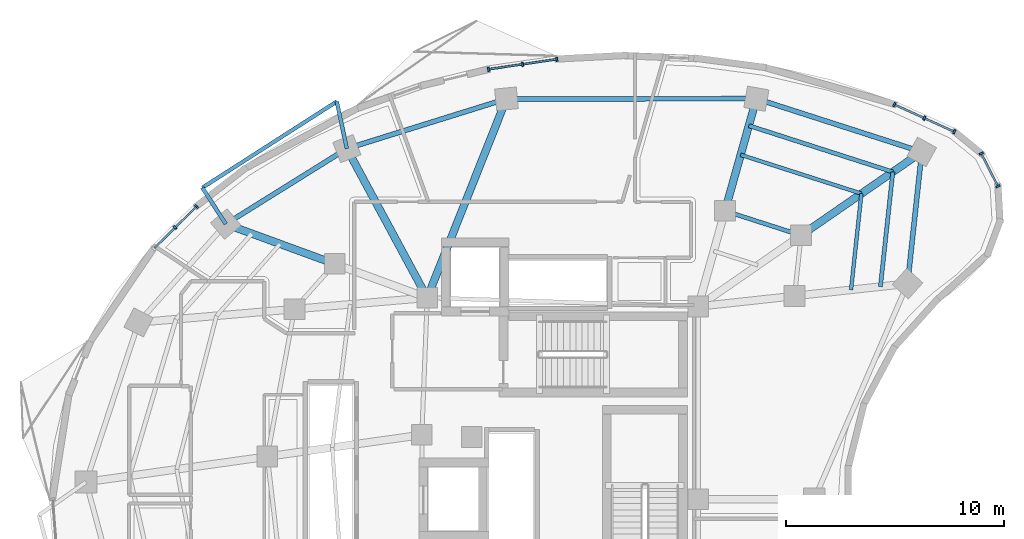
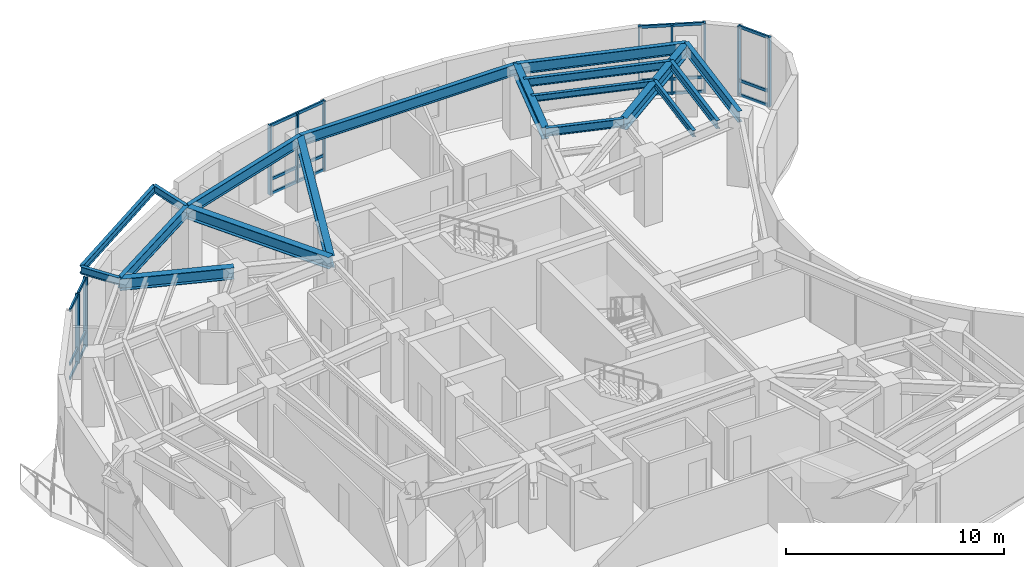
# One storey, part 5 of 13: 31 members, 18 beams, 4 elements without a shape of their own.
"""IFC4 building model written with IfcOpenShell, lengths in metres."""

import ifcopenshell
import ifcopenshell.guid

model = None  # the IFC model being written
_history = None  # IfcOwnerHistory: only IFC2X3 demands one
_inside = {}  # id of a spatial element -> (the spatial element, [elements in it])
_under = {}  # id of a project, library or spatial element -> (it, [spatial elements below it])
_declared = {}  # id of a project -> (the project, [libraries it declares])
_typed = {}  # id of a type object -> (the type object, [elements of that type])
_made_of = {}  # id of a material, layer set ... -> (it, [elements and type objects made of it])


def new_model(schema):
    """Start an empty IFC model of exactly this schema.

    Asked for "IFC4X3", IfcOpenShell would pick the latest addendum, in which some entities
    have other attributes; the version numbers below select the first issue.
    IFC2X3 requires an IfcOwnerHistory on every rooted entity: one is made here for all.
    """
    global model, _history
    if schema == "IFC4X3":
        model = ifcopenshell.file(schema_version=(4, 3, 0, 0))
    else:
        model = ifcopenshell.file(schema=schema)
    _inside.clear()
    _under.clear()
    _declared.clear()
    _typed.clear()
    _made_of.clear()
    _history = None
    if model.schema == "IFC2X3":
        org = make("IfcOrganization", Name="unknown")
        user = make(
            "IfcPersonAndOrganization",
            ThePerson=make("IfcPerson", FamilyName="unknown"),
            TheOrganization=org,
        )
        app = make(
            "IfcApplication",
            ApplicationDeveloper=org,
            Version="unknown",
            ApplicationFullName="unknown",
            ApplicationIdentifier="unknown",
        )
        _history = make(
            "IfcOwnerHistory",
            OwningUser=user,
            OwningApplication=app,
            ChangeAction="ADDED",
            CreationDate=0,
        )
    return model


def make(cls, **values):
    """One entity of the class cls with the attributes given. An attribute that is None is left unset."""
    return model.create_entity(
        cls, **{name: value for name, value in values.items() if value is not None}
    )


def rooted(cls, **values):
    """An entity with a GlobalId (a new one), such as an element, a storey or a relation."""
    return make(cls, GlobalId=ifcopenshell.guid.new(), OwnerHistory=_history, **values)


def si_unit(unit_type, name, prefix=None):
    """IfcSIUnit, for example si_unit("LENGTHUNIT", "METRE", prefix="MILLI")."""
    return make("IfcSIUnit", UnitType=unit_type, Prefix=prefix, Name=name)


def assignment(units):
    """IfcUnitAssignment: the units of a project."""
    return None if units is None else make("IfcUnitAssignment", Units=units)


def point(xyz):
    """IfcCartesianPoint."""
    return None if xyz is None else make("IfcCartesianPoint", Coordinates=xyz)


def direction(xyz):
    """IfcDirection."""
    return None if xyz is None else make("IfcDirection", DirectionRatios=xyz)


def frame(location, z_axis=None, x_axis=None):
    """IfcAxis2Placement3D, a coordinate frame: its origin and axes. An axis left out is left unset."""
    return make(
        "IfcAxis2Placement3D",
        Location=point(location),
        Axis=direction(z_axis),
        RefDirection=direction(x_axis),
    )


def frame_2d(location, x_axis=None):
    """IfcAxis2Placement2D, a coordinate frame in the plane: its origin and x axis."""
    return make(
        "IfcAxis2Placement2D", Location=point(location), RefDirection=direction(x_axis)
    )


def origin():
    """The frame at (0, 0, 0) with its axes left unset."""
    return frame((0.0, 0.0, 0.0))


def origin_2d():
    """The frame at (0, 0) in the plane with its x axis left unset."""
    return frame_2d((0.0, 0.0))


def place(relative_to, where):
    """IfcLocalPlacement: puts the frame where relative to a parent placement (None: the world)."""
    return make(
        "IfcLocalPlacement", PlacementRelTo=relative_to, RelativePlacement=where
    )


def context(
    kind, dimensions, precision=None, world=None, true_north=None, identifier=None
):
    """IfcGeometricRepresentationContext, for example the 3D "Model" context."""
    return make(
        "IfcGeometricRepresentationContext",
        ContextIdentifier=identifier,
        ContextType=kind,
        CoordinateSpaceDimension=dimensions,
        Precision=precision,
        WorldCoordinateSystem=world,
        TrueNorth=true_north,
    )


def subcontext(parent, identifier, kind, view, scale=None):
    """IfcGeometricRepresentationSubContext, for example "Body" below "Model"."""
    return make(
        "IfcGeometricRepresentationSubContext",
        ContextIdentifier=identifier,
        ContextType=kind,
        ParentContext=parent,
        TargetScale=scale,
        TargetView=view,
    )


def project(units=None, contexts=None):
    """IfcProject with its units and contexts."""
    return rooted(
        "IfcProject",
        Name="project",
        RepresentationContexts=contexts,
        UnitsInContext=assignment(units),
    )


def spatial(cls, under=None, at=None, **own):
    """A site, building, storey or space (cls), placed at a placement, below another one or the project."""
    s = rooted(cls, ObjectPlacement=at, **own)
    if under is not None:
        _under.setdefault(under.id(), (under, []))[1].append(s)
    return s


def profile(cls, at=None, kind="AREA", **sizes):
    """A parametric profile (cls). Its sizes go by their IFC names, for example OverallWidth=200.0."""
    return make(cls, ProfileType=kind, Position=at, **sizes)


def rectangle(**sizes):
    """IfcRectangleProfileDef."""
    return profile("IfcRectangleProfileDef", **sizes)


def i_section(**sizes):
    """IfcIShapeProfileDef."""
    return profile("IfcIShapeProfileDef", **sizes)


def extrude(swept, where, along, depth):
    """IfcExtrudedAreaSolid: the profile swept, set in the frame where, extruded along a direction by depth."""
    return make(
        "IfcExtrudedAreaSolid",
        SweptArea=swept,
        Position=where,
        ExtrudedDirection=direction(along),
        Depth=depth,
    )


def shape(context_of_items, identifier, shape_type, items):
    """IfcShapeRepresentation: the items that make up one representation, for example the "Body"."""
    return make(
        "IfcShapeRepresentation",
        ContextOfItems=context_of_items,
        RepresentationIdentifier=identifier,
        RepresentationType=shape_type,
        Items=items,
    )


def material(Name=None, Category=None):
    """IfcMaterial."""
    return make("IfcMaterial", Name=Name, Category=Category)


def layer(
    of_material, thickness, ventilated=None, Name=None, Category=None, Priority=None
):
    """IfcMaterialLayer: one layer of a wall or slab, of a material (None: an air gap)."""
    return make(
        "IfcMaterialLayer",
        Material=of_material,
        LayerThickness=thickness,
        IsVentilated=ventilated,
        Name=Name,
        Category=Category,
        Priority=Priority,
    )


def layer_set(layers, Name=None):
    """IfcMaterialLayerSet."""
    return make("IfcMaterialLayerSet", MaterialLayers=layers, LayerSetName=Name)


def material_profile(
    of_material, cross_section, Name=None, Category=None, Priority=None
):
    """IfcMaterialProfile: a cross section and its material."""
    return make(
        "IfcMaterialProfile",
        Name=Name,
        Material=of_material,
        Profile=cross_section,
        Priority=Priority,
        Category=Category,
    )


def profile_set(profiles, Name=None, composite=None):
    """IfcMaterialProfileSet."""
    return make(
        "IfcMaterialProfileSet",
        Name=Name,
        MaterialProfiles=profiles,
        CompositeProfile=composite,
    )


def made_of(thing, what):
    """Note that an element or type object is made of a material, layer set ...; save() writes the relation."""
    if what is not None:
        _made_of.setdefault(what.id(), (what, []))[1].append(thing)
    return thing


def type_object(cls, material=None, **own):
    """A type object (cls), such as IfcWallType, which elements share."""
    return made_of(rooted(cls, **own), material)


def element(
    cls,
    number,
    at=None,
    inside=None,
    cuts=None,
    type_object=None,
    material=None,
    context=None,
    identifier="Body",
    shape_type=None,
    held_by="IfcProductDefinitionShape",
    body=None,
    shapes=None,
    **own,
):
    """One element of the class cls, such as IfcWall. Its Tag is "e" and its number.

    at: its placement. inside: the storey or other place that contains it. cuts: it is an
    opening in that element (IfcRelVoidsElement). A single representation is given by context,
    identifier, shape_type and body (its items); several are given by shapes. held_by: the class
    of the entity that holds the representations. save() writes the other relations.
    """
    e = rooted(cls, Tag="e%d" % number, ObjectPlacement=at, **own)
    if body is not None:
        shapes = [shape(context, identifier, shape_type, body)]
    if shapes is not None:
        e.Representation = make(held_by, Representations=shapes)
    if inside is not None:
        _inside.setdefault(inside.id(), (inside, []))[1].append(e)
    if cuts is not None:
        rooted(
            "IfcRelVoidsElement", RelatingBuildingElement=cuts, RelatedOpeningElement=e
        )
    if type_object is not None:
        _typed.setdefault(type_object.id(), (type_object, []))[1].append(e)
    return made_of(e, material)


def aggregate(whole, parts):
    """IfcRelAggregates: a whole, such as a stair, and the parts it consists of."""
    return rooted("IfcRelAggregates", RelatingObject=whole, RelatedObjects=parts)


def save(model, path):
    """Write the relations noted so far, then the file.

    IfcRelAggregates (storeys below a building ...), IfcRelContainedInSpatialStructure (elements
    in a storey), IfcRelDefinesByType, IfcRelAssociatesMaterial and IfcRelDeclares: one each for
    every whole, place, type object, material and project.
    """
    for whole, parts in _under.values():
        aggregate(whole, parts)
    for where, things in _inside.values():
        rooted(
            "IfcRelContainedInSpatialStructure",
            RelatedElements=things,
            RelatingStructure=where,
        )
    for kind, things in _typed.values():
        rooted("IfcRelDefinesByType", RelatedObjects=things, RelatingType=kind)
    for what, things in _made_of.values():
        rooted("IfcRelAssociatesMaterial", RelatedObjects=things, RelatingMaterial=what)
    for by, libraries in _declared.values():
        rooted("IfcRelDeclares", RelatingContext=by, RelatedDefinitions=libraries)
    model.write(path)


model = new_model("IFC4")

# Units and contexts
model_context = context("Model", 3, precision=1e-05, world=origin(), true_north=direction((0.0, 1.0)))
body_context = subcontext(model_context, "Body", "Model", "MODEL_VIEW")
ifc_project = project(units=[si_unit("LENGTHUNIT", "METRE"), si_unit("AREAUNIT", "SQUARE_METRE"), si_unit("VOLUMEUNIT", "CUBIC_METRE"), si_unit("PLANEANGLEUNIT", "RADIAN"), si_unit("MASSUNIT", "GRAM", prefix="KILO")], contexts=[model_context])

# Site, building, storey
site_placement = place(None, origin())
site = spatial("IfcSite", under=ifc_project, at=site_placement, CompositionType="ELEMENT")
building_placement = place(site_placement, origin())
building = spatial("IfcBuilding", under=site, at=building_placement, Name="Korentha Bioscience Tower", CompositionType="ELEMENT")
storey_placement = place(building_placement, frame((0.0, 0.0, 171.0)))
storey = spatial("IfcBuildingStorey", under=building, at=storey_placement, Name="L39", CompositionType="ELEMENT", Elevation=171.0)

# Beam
ifc_material_1 = material(Name="Steel S355", Category="steel")
ifc_material_profile_1 = material_profile(ifc_material_1, i_section(OverallWidth=0.18994140625, OverallDepth=0.45703125, WebThickness=0.009033203125, FlangeThickness=0.014404296875, at=origin_2d()), Name="Steel S355")
ifc_profile_set_1 = profile_set([ifc_material_profile_1], Name="Steel S355 (MB-460)")
beam_type_1 = type_object("IfcBeamType", Name="Mid-Ring Tie Girder W460x74", PredefinedType="BEAM", material=ifc_profile_set_1)
beam_1_placement = place(storey_placement, frame((42.274658203125, 39.1171875, 3.67138671875), z_axis=(-0.952000195343, 0.306097415976, 0.0), x_axis=(-0.306097415976, -0.952000195343, 0.0)))
element("IfcBeam", 1, at=beam_1_placement, inside=storey, type_object=beam_type_1, Name="L39 Mid-Ring Tie Girder 01", PredefinedType="BEAM", context=body_context, shape_type="SweptSolid", body=[
    extrude(i_section(OverallWidth=0.18994140625, OverallDepth=0.45703125, WebThickness=0.009033203125, FlangeThickness=0.014404296875, at=origin_2d()), origin(), (0.0, 0.0, 1.0), 3.672119140625),
])

# Curtain wall, members
ifc_material_2 = material(Name="Thermally Broken Aluminium Frame", Category="aluminium")
ifc_layer = layer(ifc_material_2, 0.219970703125, Name="Thermally Broken Aluminium Frame")
ifc_layer_set = layer_set([ifc_layer], Name="Thermally Broken Aluminium Frame (CW-T1)")
curtain_wall_type = type_object("IfcCurtainWallType", Name="Standard Bioscience Lab Unitised Curtain Wall CW-T1", PredefinedType="USERDEFINED", material=ifc_layer_set)
curtain_wall_1_placement = place(storey_placement, origin())
curtain_wall_1 = element("IfcCurtainWall", 2, at=curtain_wall_1_placement, inside=storey, type_object=curtain_wall_type, Name="L39 Curtain Wall 01", ObjectType="UNITISED", PredefinedType="USERDEFINED")
ifc_material_3 = material(Name="Anodised Aluminium 6063-T6", Category="aluminium")
ifc_material_profile_2 = material_profile(ifc_material_3, rectangle(XDim=0.090087890625, YDim=0.199951171875, at=origin_2d()), Name="Anodised Aluminium 6063-T6")
ifc_profile_set_2 = profile_set([ifc_material_profile_2], Name="Anodised Aluminium 6063-T6 (CW-MUL)")
member_type_1 = type_object("IfcMemberType", Name="Mullion RECT 90x200", PredefinedType="MULLION", material=ifc_profile_set_2)
member_1_placement = place(storey_placement, frame((49.314453125, 43.878173828125, 0.0), z_axis=(0.0, 0.0, 1.0), x_axis=(-0.910644398392, 0.413190972406, 0.0)))
member_1 = element("IfcMember", 3, at=member_1_placement, type_object=member_type_1, Name="CW-L39-01 Mullion 1", PredefinedType="MULLION", context=body_context, shape_type="SweptSolid", body=[
    extrude(rectangle(XDim=0.090087890625, YDim=0.199951171875, at=origin_2d()), origin(), (0.0, 0.0, 1.0), 3.89990234375),
])
member_2_placement = place(storey_placement, frame((47.93701171875, 44.503173828125, 0.0), z_axis=(0.0, 0.0, 1.0), x_axis=(-0.910644398392, 0.413190972406, 0.0)))
member_2 = element("IfcMember", 4, at=member_2_placement, type_object=member_type_1, Name="CW-L39-01 Mullion 2", PredefinedType="MULLION", context=body_context, shape_type="SweptSolid", body=[
    extrude(rectangle(XDim=0.090087890625, YDim=0.199951171875, at=origin_2d()), origin(), (0.0, 0.0, 1.0), 3.89990234375),
])
member_3_placement = place(storey_placement, frame((46.5595703125, 45.128173828125, 0.0), z_axis=(0.0, 0.0, 1.0), x_axis=(-0.910644398392, 0.413190972406, 0.0)))
member_3 = element("IfcMember", 5, at=member_3_placement, type_object=member_type_1, Name="CW-L39-01 Mullion 3", PredefinedType="MULLION", context=body_context, shape_type="SweptSolid", body=[
    extrude(rectangle(XDim=0.090087890625, YDim=0.199951171875, at=origin_2d()), origin(), (0.0, 0.0, 1.0), 3.89990234375),
])

curtain_wall_2_placement = place(storey_placement, origin())
curtain_wall_2 = element("IfcCurtainWall", 6, at=curtain_wall_2_placement, inside=storey, type_object=curtain_wall_type, Name="L39 Curtain Wall 07", ObjectType="UNITISED", PredefinedType="USERDEFINED")
member_4_placement = place(storey_placement, frame((31.056640625, 47.205078125, 0.0), z_axis=(0.0, 0.0, 1.0), x_axis=(-0.989461919888, -0.144793332342, 0.0)))
member_4 = element("IfcMember", 7, at=member_4_placement, type_object=member_type_1, Name="CW-L39-07 Mullion 1", PredefinedType="MULLION", context=body_context, shape_type="SweptSolid", body=[
    extrude(rectangle(XDim=0.090087890625, YDim=0.199951171875, at=origin_2d()), origin(), (0.0, 0.0, 1.0), 3.89990234375),
])
member_5_placement = place(storey_placement, frame((29.485107421875, 46.97509765625, 0.0), z_axis=(0.0, 0.0, 1.0), x_axis=(-0.989461919888, -0.144793332342, 0.0)))
member_5 = element("IfcMember", 8, at=member_5_placement, type_object=member_type_1, Name="CW-L39-07 Mullion 2", PredefinedType="MULLION", context=body_context, shape_type="SweptSolid", body=[
    extrude(rectangle(XDim=0.090087890625, YDim=0.199951171875, at=origin_2d()), origin(), (0.0, 0.0, 1.0), 3.89990234375),
])
member_6_placement = place(storey_placement, frame((27.913330078125, 46.7451171875, 0.0), z_axis=(0.0, 0.0, 1.0), x_axis=(-0.989461919888, -0.144793332342, 0.0)))
member_6 = element("IfcMember", 9, at=member_6_placement, type_object=member_type_1, Name="CW-L39-07 Mullion 3", PredefinedType="MULLION", context=body_context, shape_type="SweptSolid", body=[
    extrude(rectangle(XDim=0.090087890625, YDim=0.199951171875, at=origin_2d()), origin(), (0.0, 0.0, 1.0), 3.89990234375),
])

curtain_wall_3_placement = place(storey_placement, origin())
curtain_wall_3 = element("IfcCurtainWall", 10, at=curtain_wall_3_placement, inside=storey, type_object=curtain_wall_type, Name="L39 Curtain Wall 13", ObjectType="UNITISED", PredefinedType="USERDEFINED")
member_7_placement = place(storey_placement, frame((14.49951171875, 40.44287109375, 0.0), z_axis=(0.0, 0.0, 1.0), x_axis=(-0.711460557971, -0.702726030862, 0.0)))
member_7 = element("IfcMember", 11, at=member_7_placement, type_object=member_type_1, Name="CW-L39-13 Mullion 1", PredefinedType="MULLION", context=body_context, shape_type="SweptSolid", body=[
    extrude(rectangle(XDim=0.090087890625, YDim=0.199951171875, at=origin_2d()), origin(), (0.0, 0.0, 1.0), 3.89990234375),
])
member_8_placement = place(storey_placement, frame((13.517333984375, 39.472900390625, 0.0), z_axis=(0.0, 0.0, 1.0), x_axis=(-0.711460557971, -0.702726030862, 0.0)))
member_8 = element("IfcMember", 12, at=member_8_placement, type_object=member_type_1, Name="CW-L39-13 Mullion 2", PredefinedType="MULLION", context=body_context, shape_type="SweptSolid", body=[
    extrude(rectangle(XDim=0.090087890625, YDim=0.199951171875, at=origin_2d()), origin(), (0.0, 0.0, 1.0), 3.89990234375),
])

curtain_wall_4_placement = place(storey_placement, origin())
curtain_wall_4 = element("IfcCurtainWall", 13, at=curtain_wall_4_placement, inside=storey, type_object=curtain_wall_type, Name="L39 Curtain Wall 61", ObjectType="UNITISED", PredefinedType="USERDEFINED")
member_9_placement = place(storey_placement, frame((51.31884765625, 41.375732421875, 0.0), z_axis=(0.0, 0.0, 1.0), x_axis=(-0.45428845847, 0.890854643868, 0.0)))
member_9 = element("IfcMember", 14, at=member_9_placement, type_object=member_type_1, Name="CW-L39-61 Mullion 1", PredefinedType="MULLION", context=body_context, shape_type="SweptSolid", body=[
    extrude(rectangle(XDim=0.090087890625, YDim=0.199951171875, at=origin_2d()), origin(), (0.0, 0.0, 1.0), 3.89990234375),
])
member_10_placement = place(storey_placement, frame((50.5546875, 42.873779296875, 0.0), z_axis=(0.0, 0.0, 1.0), x_axis=(-0.45428845847, 0.890854643868, 0.0)))
member_10 = element("IfcMember", 15, at=member_10_placement, type_object=member_type_1, Name="CW-L39-61 Mullion 2", PredefinedType="MULLION", context=body_context, shape_type="SweptSolid", body=[
    extrude(rectangle(XDim=0.090087890625, YDim=0.199951171875, at=origin_2d()), origin(), (0.0, 0.0, 1.0), 3.89990234375),
])

# Beams
ifc_material_profile_3 = material_profile(ifc_material_1, i_section(OverallWidth=0.22802734375, OverallDepth=0.60791015625, WebThickness=0.01123046875, FlangeThickness=0.017333984375, at=origin_2d()), Name="Steel S355")
ifc_profile_set_3 = profile_set([ifc_material_profile_3], Name="Steel S355 (SB-610)")
beam_type_2 = type_object("IfcBeamType", Name="Perimeter Ring Spandrel Girder W610x113", PredefinedType="SPANDREL", material=ifc_profile_set_3)
beam_2_placement = place(storey_placement, frame((47.821044921875, 42.95263671875, 3.595947265625), z_axis=(-0.952008512555, 0.306071547228, 0.0), x_axis=(-0.306071547228, -0.952008512555, 0.0)))
element("IfcBeam", 16, at=beam_2_placement, inside=storey, type_object=beam_type_2, Name="L39 Perimeter Spandrel Girder 01", PredefinedType="SPANDREL", context=body_context, shape_type="SweptSolid", body=[
    extrude(i_section(OverallWidth=0.22802734375, OverallDepth=0.60791015625, WebThickness=0.01123046875, FlangeThickness=0.017333984375, at=origin_2d()), origin(), (0.0, 0.0, 1.0), 7.98291015625),
])
beam_3_placement = place(storey_placement, frame((40.22119140625, 45.39599609375, 3.595947265625), z_axis=(-0.99999988041, -0.000489059883, 0.0), x_axis=(0.000489059883, -0.99999988041, 0.0)))
element("IfcBeam", 17, at=beam_3_placement, inside=storey, type_object=beam_type_2, Name="L39 Perimeter Spandrel Girder 02", PredefinedType="SPANDREL", context=body_context, shape_type="SweptSolid", body=[
    extrude(i_section(OverallWidth=0.22802734375, OverallDepth=0.60791015625, WebThickness=0.01123046875, FlangeThickness=0.017333984375, at=origin_2d()), origin(), (0.0, 0.0, 1.0), 11.481689453125),
])
beam_4_placement = place(storey_placement, frame((28.739501953125, 45.390380859375, 3.595947265625), z_axis=(-0.954638172607, -0.29776829818, 0.0), x_axis=(0.29776829818, -0.954638172607, 0.0)))
element("IfcBeam", 18, at=beam_4_placement, inside=storey, type_object=beam_type_2, Name="L39 Perimeter Spandrel Girder 03", PredefinedType="SPANDREL", context=body_context, shape_type="SweptSolid", body=[
    extrude(i_section(OverallWidth=0.22802734375, OverallDepth=0.60791015625, WebThickness=0.01123046875, FlangeThickness=0.017333984375, at=origin_2d()), origin(), (0.0, 0.0, 1.0), 7.682373046875),
])
beam_5_placement = place(storey_placement, frame((21.405517578125, 43.102783203125, 3.595947265625), z_axis=(-0.848675740059, -0.528913497876, 0.0), x_axis=(0.528913497876, -0.848675740059, 0.0)))
element("IfcBeam", 19, at=beam_5_placement, inside=storey, type_object=beam_type_2, Name="L39 Perimeter Spandrel Girder 04", PredefinedType="SPANDREL", context=body_context, shape_type="SweptSolid", body=[
    extrude(i_section(OverallWidth=0.22802734375, OverallDepth=0.60791015625, WebThickness=0.01123046875, FlangeThickness=0.017333984375, at=origin_2d()), origin(), (0.0, 0.0, 1.0), 6.55322265625),
])
beam_6_placement = place(storey_placement, frame((47.16748046875, 36.89794921875, 3.595947265625), z_axis=(0.10732012232, 0.994224517574, 0.0), x_axis=(-0.994224517574, 0.10732012232, 0.0)))
element("IfcBeam", 20, at=beam_6_placement, inside=storey, type_object=beam_type_2, Name="L39 Perimeter Spandrel Girder 16", PredefinedType="SPANDREL", context=body_context, shape_type="SweptSolid", body=[
    extrude(i_section(OverallWidth=0.22802734375, OverallDepth=0.60791015625, WebThickness=0.01123046875, FlangeThickness=0.017333984375, at=origin_2d()), origin(), (0.0, 0.0, 1.0), 6.08984375),
])
ifc_material_profile_4 = material_profile(ifc_material_1, i_section(OverallWidth=0.18994140625, OverallDepth=0.45703125, WebThickness=0.009033203125, FlangeThickness=0.014404296875, at=origin_2d()), Name="Steel S355")
ifc_profile_set_4 = profile_set([ifc_material_profile_4], Name="Steel S355 (RB-460)")
beam_type_3 = type_object("IfcBeamType", Name="Radial Laboratory Beam W460x74", PredefinedType="BEAM", material=ifc_profile_set_4)
beam_7_placement = place(storey_placement, frame((46.489990234375, 42.031982421875, 3.67138671875), z_axis=(-0.952009183817, 0.306069459318, 0.0), x_axis=(-0.306069459318, -0.952009183817, 0.0)))
element("IfcBeam", 21, at=beam_7_placement, inside=storey, type_object=beam_type_3, Name="L39 Secondary Floor Beam JSTO-01", PredefinedType="BEAM", context=body_context, shape_type="SweptSolid", body=[
    extrude(i_section(OverallWidth=0.18994140625, OverallDepth=0.45703125, WebThickness=0.009033203125, FlangeThickness=0.014404296875, at=origin_2d()), origin(), (0.0, 0.0, 1.0), 6.948486328125),
])
beam_8_placement = place(storey_placement, frame((45.921142578125, 36.76220703125, 3.67138671875), z_axis=(0.107321875607, 0.994224328316, 0.0), x_axis=(-0.994224328316, 0.107321875607, 0.0)))
element("IfcBeam", 22, at=beam_8_placement, inside=storey, type_object=beam_type_3, Name="L39 Secondary Floor Beam JSTO-16", PredefinedType="BEAM", context=body_context, shape_type="SweptSolid", body=[
    extrude(i_section(OverallWidth=0.18994140625, OverallDepth=0.45703125, WebThickness=0.009033203125, FlangeThickness=0.014404296875, at=origin_2d()), origin(), (0.0, 0.0, 1.0), 5.30029296875),
])
ifc_material_profile_5 = material_profile(ifc_material_1, i_section(OverallWidth=0.35009765625, OverallDepth=0.64990234375, WebThickness=0.01611328125, FlangeThickness=0.02490234375, at=origin_2d()), Name="Steel S355")
ifc_profile_set_5 = profile_set([ifc_material_profile_5], Name="Steel S355 (RB-650)")
beam_type_4 = type_object("IfcBeamType", Name="Radial Laboratory Girder CVS 650x208", PredefinedType="BEAM", material=ifc_profile_set_5)
beam_9_placement = place(storey_placement, frame((42.274658203125, 39.1171875, 3.574951171875), z_axis=(0.822494455845, 0.568773127094, 0.0), x_axis=(-0.568773127094, 0.822494455845, 0.0)))
element("IfcBeam", 23, at=beam_9_placement, inside=storey, type_object=beam_type_4, Name="L39 Outer Radial Girder 01", PredefinedType="BEAM", context=body_context, shape_type="SweptSolid", body=[
    extrude(i_section(OverallWidth=0.35009765625, OverallDepth=0.64990234375, WebThickness=0.01611328125, FlangeThickness=0.02490234375, at=origin_2d()), origin(), (0.0, 0.0, 1.0), 6.743408203125),
])
beam_10_placement = place(storey_placement, frame((38.77880859375, 40.2412109375, 3.574951171875), z_axis=(0.269464128344, 0.963010427532, 0.0), x_axis=(-0.963010427532, 0.269464128344, 0.0)))
element("IfcBeam", 24, at=beam_10_placement, inside=storey, type_object=beam_type_4, Name="L39 Outer Radial Girder 02", PredefinedType="BEAM", context=body_context, shape_type="SweptSolid", body=[
    extrude(i_section(OverallWidth=0.35009765625, OverallDepth=0.64990234375, WebThickness=0.01611328125, FlangeThickness=0.02490234375, at=origin_2d()), origin(), (0.0, 0.0, 1.0), 5.352783203125),
])
beam_11_placement = place(storey_placement, frame((25.10009765625, 36.25, 3.574951171875), z_axis=(0.369922682955, 0.929062542909, 0.0), x_axis=(-0.929062542909, 0.369922682955, 0.0)))
element("IfcBeam", 25, at=beam_11_placement, inside=storey, type_object=beam_type_4, Name="L39 Radial Girder 03", PredefinedType="BEAM", context=body_context, shape_type="SweptSolid", body=[
    extrude(i_section(OverallWidth=0.35009765625, OverallDepth=0.64990234375, WebThickness=0.01611328125, FlangeThickness=0.02490234375, at=origin_2d()), origin(), (0.0, 0.0, 1.0), 9.83837890625),
])
beam_12_placement = place(storey_placement, frame((25.10009765625, 36.25, 3.574951171875), z_axis=(-0.474559790141, 0.880223270302, 0.0), x_axis=(-0.880223270302, -0.474559790141, 0.0)))
element("IfcBeam", 26, at=beam_12_placement, inside=storey, type_object=beam_type_4, Name="L39 Radial Girder 04", PredefinedType="BEAM", context=body_context, shape_type="SweptSolid", body=[
    extrude(i_section(OverallWidth=0.35009765625, OverallDepth=0.64990234375, WebThickness=0.01611328125, FlangeThickness=0.02490234375, at=origin_2d()), origin(), (0.0, 0.0, 1.0), 7.785400390625),
])
beam_13_placement = place(storey_placement, frame((20.84228515625, 37.807861328125, 3.574951171875), z_axis=(-0.939109855566, 0.343617053097, 0.0), x_axis=(-0.343617053097, -0.939109855566, 0.0)))
element("IfcBeam", 27, at=beam_13_placement, inside=storey, type_object=beam_type_4, Name="L39 Outer Radial Girder 05", PredefinedType="BEAM", context=body_context, shape_type="SweptSolid", body=[
    extrude(i_section(OverallWidth=0.35009765625, OverallDepth=0.64990234375, WebThickness=0.01611328125, FlangeThickness=0.02490234375, at=origin_2d()), origin(), (0.0, 0.0, 1.0), 5.322265625),
])
ifc_material_profile_6 = material_profile(ifc_material_1, i_section(OverallWidth=0.1708984375, OverallDepth=0.35498046875, WebThickness=0.007080078125, FlangeThickness=0.01171875, at=origin_2d()), Name="Steel S355")
ifc_profile_set_6 = profile_set([ifc_material_profile_6], Name="Steel S355 (JB-360)")
beam_type_5 = type_object("IfcBeamType", Name="Secondary Laboratory Joist W360x51", PredefinedType="JOIST", material=ifc_profile_set_6)
beam_14_placement = place(storey_placement, frame((45.0478515625, 41.034912109375, 3.722412109375), z_axis=(-0.952005892166, 0.306079697596, 0.0), x_axis=(-0.306079697596, -0.952005892166, 0.0)))
element("IfcBeam", 28, at=beam_14_placement, inside=storey, type_object=beam_type_5, Name="L39 Secondary Floor Beam JST-01", PredefinedType="JOIST", context=body_context, shape_type="SweptSolid", body=[
    extrude(i_section(OverallWidth=0.1708984375, OverallDepth=0.35498046875, WebThickness=0.007080078125, FlangeThickness=0.01171875, at=origin_2d()), origin(), (0.0, 0.0, 1.0), 5.82763671875),
])
beam_15_placement = place(storey_placement, frame((44.57080078125, 36.614990234375, 3.722412109375), z_axis=(0.107308722475, 0.994225748048, 0.0), x_axis=(-0.994225748048, 0.107308722475, 0.0)))
element("IfcBeam", 29, at=beam_15_placement, inside=storey, type_object=beam_type_5, Name="L39 Secondary Floor Beam JST-16", PredefinedType="JOIST", context=body_context, shape_type="SweptSolid", body=[
    extrude(i_section(OverallWidth=0.1708984375, OverallDepth=0.35498046875, WebThickness=0.007080078125, FlangeThickness=0.01171875, at=origin_2d()), origin(), (0.0, 0.0, 1.0), 4.445556640625),
])
ifc_material_profile_7 = material_profile(ifc_material_1, i_section(OverallWidth=0.177978515625, OverallDepth=0.406982421875, WebThickness=0.0078125, FlangeThickness=0.0126953125, at=origin_2d()), Name="Steel S355")
ifc_profile_set_7 = profile_set([ifc_material_profile_7], Name="Steel S355 (CB-410)")
beam_type_6 = type_object("IfcBeamType", Name="Sun-Ledge Cantilever Beam W410x60", PredefinedType="BEAM", material=ifc_profile_set_7)
beam_16_placement = place(storey_placement, frame((21.405517578125, 43.102783203125, 3.698486328125), z_axis=(-0.208812997675, 0.97795558795, 0.0), x_axis=(-0.97795558795, -0.208812997675, 0.0)))
element("IfcBeam", 30, at=beam_16_placement, inside=storey, type_object=beam_type_6, Name="L39 Balcony Cantilever Bracket A-L40-01", PredefinedType="BEAM", context=body_context, shape_type="SweptSolid", body=[
    extrude(i_section(OverallWidth=0.177978515625, OverallDepth=0.406982421875, WebThickness=0.0078125, FlangeThickness=0.0126953125, at=origin_2d()), origin(), (0.0, 0.0, 1.0), 2.212158203125),
])
beam_17_placement = place(storey_placement, frame((15.843994140625, 39.63671875, 3.698486328125), z_axis=(-0.541651192017, 0.840603346523, 0.0), x_axis=(-0.840603346523, -0.541651192017, 0.0)))
element("IfcBeam", 31, at=beam_17_placement, inside=storey, type_object=beam_type_6, Name="L39 Balcony Cantilever Bracket B-L40-01", PredefinedType="BEAM", context=body_context, shape_type="SweptSolid", body=[
    extrude(i_section(OverallWidth=0.177978515625, OverallDepth=0.406982421875, WebThickness=0.0078125, FlangeThickness=0.0126953125, at=origin_2d()), origin(), (0.0, 0.0, 1.0), 1.98779296875),
])
beam_18_placement = place(storey_placement, frame((20.943603515625, 45.26611328125, 3.698486328125), z_axis=(-0.841919457307, -0.539603212933, 0.0), x_axis=(0.539603212933, -0.841919457307, 0.0)))
element("IfcBeam", 32, at=beam_18_placement, inside=storey, type_object=beam_type_6, Name="L39 Balcony Edge Trimmer Beam L40-01", PredefinedType="BEAM", context=body_context, shape_type="SweptSolid", body=[
    extrude(i_section(OverallWidth=0.177978515625, OverallDepth=0.406982421875, WebThickness=0.0078125, FlangeThickness=0.0126953125, at=origin_2d()), origin(), (0.0, 0.0, 1.0), 7.3359375),
])

# Member
ifc_material_profile_8 = material_profile(ifc_material_3, rectangle(XDim=0.090087890625, YDim=0.159912109375, at=origin_2d()), Name="Anodised Aluminium 6063-T6")
ifc_profile_set_8 = profile_set([ifc_material_profile_8], Name="Anodised Aluminium 6063-T6 (CW-TRN)")
member_type_2 = type_object("IfcMemberType", Name="Transom RECT 90x160", PredefinedType="USERDEFINED", material=ifc_profile_set_8)
member_11_placement = place(storey_placement, frame((49.2734375, 43.896728515625, 0.044921875), z_axis=(-0.910613165474, 0.41325980069, 0.0), x_axis=(-0.41325980069, -0.910613165474, 0.0)))
member_11 = element("IfcMember", 33, at=member_11_placement, type_object=member_type_2, Name="CW-L39-01 Bay 1 Transom 1", ObjectType="TRANSOM", PredefinedType="USERDEFINED", context=body_context, shape_type="SweptSolid", body=[
    extrude(rectangle(XDim=0.090087890625, YDim=0.159912109375, at=origin_2d()), origin(), (0.0, 0.0, 1.0), 1.422607421875),
])

member_12_placement = place(storey_placement, frame((49.2734375, 43.896728515625, 0.85009765625), z_axis=(-0.910613165474, 0.41325980069, 0.0), x_axis=(-0.41325980069, -0.910613165474, 0.0)))
member_12 = element("IfcMember", 34, at=member_12_placement, type_object=member_type_2, Name="CW-L39-01 Bay 1 Transom 2", ObjectType="TRANSOM", PredefinedType="USERDEFINED", context=body_context, shape_type="SweptSolid", body=[
    extrude(rectangle(XDim=0.090087890625, YDim=0.159912109375, at=origin_2d()), origin(), (0.0, 0.0, 1.0), 1.422607421875),
])

member_13_placement = place(storey_placement, frame((49.2734375, 43.896728515625, 3.85498046875), z_axis=(-0.910613165474, 0.41325980069, 0.0), x_axis=(-0.41325980069, -0.910613165474, 0.0)))
member_13 = element("IfcMember", 35, at=member_13_placement, type_object=member_type_2, Name="CW-L39-01 Bay 1 Transom 3", ObjectType="TRANSOM", PredefinedType="USERDEFINED", context=body_context, shape_type="SweptSolid", body=[
    extrude(rectangle(XDim=0.090087890625, YDim=0.159912109375, at=origin_2d()), origin(), (0.0, 0.0, 1.0), 1.422607421875),
])

member_14_placement = place(storey_placement, frame((47.89599609375, 44.521728515625, 0.044921875), z_axis=(-0.910613165474, 0.41325980069, 0.0), x_axis=(-0.41325980069, -0.910613165474, 0.0)))
member_14 = element("IfcMember", 36, at=member_14_placement, type_object=member_type_2, Name="CW-L39-01 Bay 2 Transom 1", ObjectType="TRANSOM", PredefinedType="USERDEFINED", context=body_context, shape_type="SweptSolid", body=[
    extrude(rectangle(XDim=0.090087890625, YDim=0.159912109375, at=origin_2d()), origin(), (0.0, 0.0, 1.0), 1.422607421875),
])

member_15_placement = place(storey_placement, frame((47.89599609375, 44.521728515625, 0.85009765625), z_axis=(-0.910613165474, 0.41325980069, 0.0), x_axis=(-0.41325980069, -0.910613165474, 0.0)))
member_15 = element("IfcMember", 37, at=member_15_placement, type_object=member_type_2, Name="CW-L39-01 Bay 2 Transom 2", ObjectType="TRANSOM", PredefinedType="USERDEFINED", context=body_context, shape_type="SweptSolid", body=[
    extrude(rectangle(XDim=0.090087890625, YDim=0.159912109375, at=origin_2d()), origin(), (0.0, 0.0, 1.0), 1.422607421875),
])

member_16_placement = place(storey_placement, frame((47.89599609375, 44.521728515625, 3.85498046875), z_axis=(-0.910613165474, 0.41325980069, 0.0), x_axis=(-0.41325980069, -0.910613165474, 0.0)))
member_16 = element("IfcMember", 38, at=member_16_placement, type_object=member_type_2, Name="CW-L39-01 Bay 2 Transom 3", ObjectType="TRANSOM", PredefinedType="USERDEFINED", context=body_context, shape_type="SweptSolid", body=[
    extrude(rectangle(XDim=0.090087890625, YDim=0.159912109375, at=origin_2d()), origin(), (0.0, 0.0, 1.0), 1.422607421875),
])

aggregate(curtain_wall_1, [member_1, member_2, member_3, member_11, member_12, member_13, member_14, member_15, member_16])

member_17_placement = place(storey_placement, frame((31.01220703125, 47.198486328125, 0.044921875), z_axis=(-0.989478137929, -0.144682461136, 0.0), x_axis=(0.144682461136, -0.989478137929, 0.0)))
member_17 = element("IfcMember", 39, at=member_17_placement, type_object=member_type_2, Name="CW-L39-07 Bay 1 Transom 1", ObjectType="TRANSOM", PredefinedType="USERDEFINED", context=body_context, shape_type="SweptSolid", body=[
    extrude(rectangle(XDim=0.090087890625, YDim=0.159912109375, at=origin_2d()), origin(), (0.0, 0.0, 1.0), 1.49853515625),
])

member_18_placement = place(storey_placement, frame((31.01220703125, 47.198486328125, 0.85009765625), z_axis=(-0.989478137929, -0.144682461136, 0.0), x_axis=(0.144682461136, -0.989478137929, 0.0)))
member_18 = element("IfcMember", 40, at=member_18_placement, type_object=member_type_2, Name="CW-L39-07 Bay 1 Transom 2", ObjectType="TRANSOM", PredefinedType="USERDEFINED", context=body_context, shape_type="SweptSolid", body=[
    extrude(rectangle(XDim=0.090087890625, YDim=0.159912109375, at=origin_2d()), origin(), (0.0, 0.0, 1.0), 1.49853515625),
])

member_19_placement = place(storey_placement, frame((31.01220703125, 47.198486328125, 3.85498046875), z_axis=(-0.989478137929, -0.144682461136, 0.0), x_axis=(0.144682461136, -0.989478137929, 0.0)))
member_19 = element("IfcMember", 41, at=member_19_placement, type_object=member_type_2, Name="CW-L39-07 Bay 1 Transom 3", ObjectType="TRANSOM", PredefinedType="USERDEFINED", context=body_context, shape_type="SweptSolid", body=[
    extrude(rectangle(XDim=0.090087890625, YDim=0.159912109375, at=origin_2d()), origin(), (0.0, 0.0, 1.0), 1.49853515625),
])

member_20_placement = place(storey_placement, frame((29.4404296875, 46.968505859375, 0.044921875), z_axis=(-0.989474726473, -0.144705790038, 0.0), x_axis=(0.144705790038, -0.989474726473, 0.0)))
member_20 = element("IfcMember", 42, at=member_20_placement, type_object=member_type_2, Name="CW-L39-07 Bay 2 Transom 1", ObjectType="TRANSOM", PredefinedType="USERDEFINED", context=body_context, shape_type="SweptSolid", body=[
    extrude(rectangle(XDim=0.090087890625, YDim=0.159912109375, at=origin_2d()), origin(), (0.0, 0.0, 1.0), 1.498291015625),
])

member_21_placement = place(storey_placement, frame((29.4404296875, 46.968505859375, 0.85009765625), z_axis=(-0.989474726473, -0.144705790038, 0.0), x_axis=(0.144705790038, -0.989474726473, 0.0)))
member_21 = element("IfcMember", 43, at=member_21_placement, type_object=member_type_2, Name="CW-L39-07 Bay 2 Transom 2", ObjectType="TRANSOM", PredefinedType="USERDEFINED", context=body_context, shape_type="SweptSolid", body=[
    extrude(rectangle(XDim=0.090087890625, YDim=0.159912109375, at=origin_2d()), origin(), (0.0, 0.0, 1.0), 1.498291015625),
])

member_22_placement = place(storey_placement, frame((29.4404296875, 46.968505859375, 3.85498046875), z_axis=(-0.989474726473, -0.144705790038, 0.0), x_axis=(0.144705790038, -0.989474726473, 0.0)))
member_22 = element("IfcMember", 44, at=member_22_placement, type_object=member_type_2, Name="CW-L39-07 Bay 2 Transom 3", ObjectType="TRANSOM", PredefinedType="USERDEFINED", context=body_context, shape_type="SweptSolid", body=[
    extrude(rectangle(XDim=0.090087890625, YDim=0.159912109375, at=origin_2d()), origin(), (0.0, 0.0, 1.0), 1.498291015625),
])

aggregate(curtain_wall_2, [member_4, member_5, member_6, member_17, member_18, member_19, member_20, member_21, member_22])

member_23_placement = place(storey_placement, frame((14.46728515625, 40.4111328125, 0.044921875), z_axis=(-0.711445315109, -0.70274146285, 0.0), x_axis=(0.70274146285, -0.711445315109, 0.0)))
member_23 = element("IfcMember", 45, at=member_23_placement, type_object=member_type_2, Name="CW-L39-13 Bay 1 Transom 1", ObjectType="TRANSOM", PredefinedType="USERDEFINED", context=body_context, shape_type="SweptSolid", body=[
    extrude(rectangle(XDim=0.090087890625, YDim=0.159912109375, at=origin_2d()), origin(), (0.0, 0.0, 1.0), 1.290283203125),
])

member_24_placement = place(storey_placement, frame((14.46728515625, 40.4111328125, 0.85009765625), z_axis=(-0.711445315109, -0.70274146285, 0.0), x_axis=(0.70274146285, -0.711445315109, 0.0)))
member_24 = element("IfcMember", 46, at=member_24_placement, type_object=member_type_2, Name="CW-L39-13 Bay 1 Transom 2", ObjectType="TRANSOM", PredefinedType="USERDEFINED", context=body_context, shape_type="SweptSolid", body=[
    extrude(rectangle(XDim=0.090087890625, YDim=0.159912109375, at=origin_2d()), origin(), (0.0, 0.0, 1.0), 1.290283203125),
])

member_25_placement = place(storey_placement, frame((14.46728515625, 40.4111328125, 3.85498046875), z_axis=(-0.711445315109, -0.70274146285, 0.0), x_axis=(0.70274146285, -0.711445315109, 0.0)))
member_25 = element("IfcMember", 47, at=member_25_placement, type_object=member_type_2, Name="CW-L39-13 Bay 1 Transom 3", ObjectType="TRANSOM", PredefinedType="USERDEFINED", context=body_context, shape_type="SweptSolid", body=[
    extrude(rectangle(XDim=0.090087890625, YDim=0.159912109375, at=origin_2d()), origin(), (0.0, 0.0, 1.0), 1.290283203125),
])

member_26_placement = place(storey_placement, frame((13.4853515625, 39.441162109375, 0.044921875), z_axis=(-0.711444158079, -0.70274263421, 0.0), x_axis=(0.70274263421, -0.711444158079, 0.0)))
member_26 = element("IfcMember", 48, at=member_26_placement, type_object=member_type_2, Name="CW-L39-13 Bay 2 Transom 1", ObjectType="TRANSOM", PredefinedType="USERDEFINED", context=body_context, shape_type="SweptSolid", body=[
    extrude(rectangle(XDim=0.090087890625, YDim=0.159912109375, at=origin_2d()), origin(), (0.0, 0.0, 1.0), 1.29052734375),
])

member_27_placement = place(storey_placement, frame((13.4853515625, 39.441162109375, 0.85009765625), z_axis=(-0.711444158079, -0.70274263421, 0.0), x_axis=(0.70274263421, -0.711444158079, 0.0)))
member_27 = element("IfcMember", 49, at=member_27_placement, type_object=member_type_2, Name="CW-L39-13 Bay 2 Transom 2", ObjectType="TRANSOM", PredefinedType="USERDEFINED", context=body_context, shape_type="SweptSolid", body=[
    extrude(rectangle(XDim=0.090087890625, YDim=0.159912109375, at=origin_2d()), origin(), (0.0, 0.0, 1.0), 1.29052734375),
])

member_28_placement = place(storey_placement, frame((13.4853515625, 39.441162109375, 3.85498046875), z_axis=(-0.711444158079, -0.70274263421, 0.0), x_axis=(0.70274263421, -0.711444158079, 0.0)))
member_28 = element("IfcMember", 50, at=member_28_placement, type_object=member_type_2, Name="CW-L39-13 Bay 2 Transom 3", ObjectType="TRANSOM", PredefinedType="USERDEFINED", context=body_context, shape_type="SweptSolid", body=[
    extrude(rectangle(XDim=0.090087890625, YDim=0.159912109375, at=origin_2d()), origin(), (0.0, 0.0, 1.0), 1.29052734375),
])

aggregate(curtain_wall_3, [member_7, member_8, member_23, member_24, member_25, member_26, member_27, member_28])

member_29_placement = place(storey_placement, frame((51.29833984375, 41.415771484375, 0.044921875), z_axis=(-0.454316345026, 0.890840422658, 0.0), x_axis=(-0.890840422658, -0.454316345026, 0.0)))
member_29 = element("IfcMember", 51, at=member_29_placement, type_object=member_type_2, Name="CW-L39-61 Bay 1 Transom 1", ObjectType="TRANSOM", PredefinedType="USERDEFINED", context=body_context, shape_type="SweptSolid", body=[
    extrude(rectangle(XDim=0.090087890625, YDim=0.159912109375, at=origin_2d()), origin(), (0.0, 0.0, 1.0), 1.591796875),
])

member_30_placement = place(storey_placement, frame((51.29833984375, 41.415771484375, 0.85009765625), z_axis=(-0.454316345026, 0.890840422658, 0.0), x_axis=(-0.890840422658, -0.454316345026, 0.0)))
member_30 = element("IfcMember", 52, at=member_30_placement, type_object=member_type_2, Name="CW-L39-61 Bay 1 Transom 2", ObjectType="TRANSOM", PredefinedType="USERDEFINED", context=body_context, shape_type="SweptSolid", body=[
    extrude(rectangle(XDim=0.090087890625, YDim=0.159912109375, at=origin_2d()), origin(), (0.0, 0.0, 1.0), 1.591796875),
])

member_31_placement = place(storey_placement, frame((51.29833984375, 41.415771484375, 3.85498046875), z_axis=(-0.454316345026, 0.890840422658, 0.0), x_axis=(-0.890840422658, -0.454316345026, 0.0)))
member_31 = element("IfcMember", 53, at=member_31_placement, type_object=member_type_2, Name="CW-L39-61 Bay 1 Transom 3", ObjectType="TRANSOM", PredefinedType="USERDEFINED", context=body_context, shape_type="SweptSolid", body=[
    extrude(rectangle(XDim=0.090087890625, YDim=0.159912109375, at=origin_2d()), origin(), (0.0, 0.0, 1.0), 1.591796875),
])

aggregate(curtain_wall_4, [member_9, member_10, member_29, member_30, member_31])

save(model, "model.ifc")
